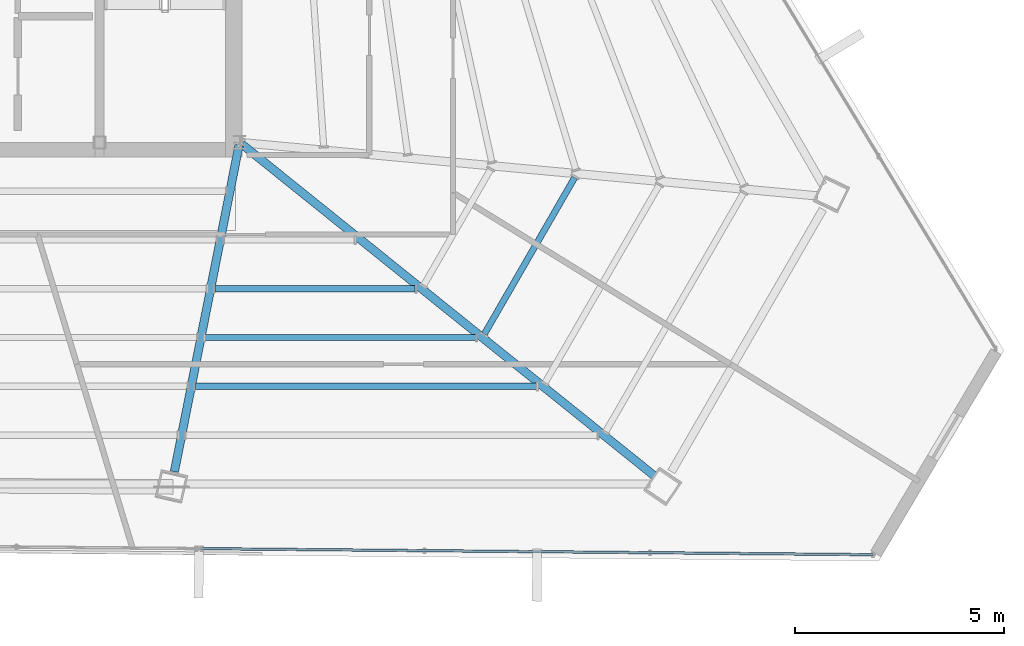
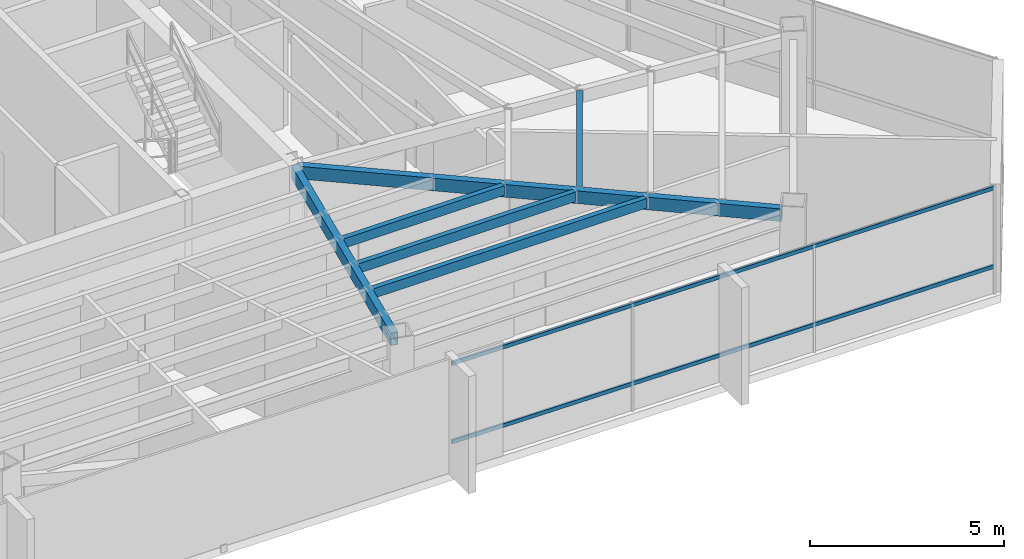
# One storey, part 22 of 47: 6 beams, 2 members, 1 element without a shape of its own.
"""IFC4 building model written with IfcOpenShell, lengths in metres."""

from ifc_helpers import new_model, si_unit, direction, frame, origin, origin_2d, place, context, subcontext, project, spatial, hollow_rectangle, extrude, source, transform, mapped, material, material_profile, profile_set, type_object, type_shapes, element, aggregate, save


model = new_model("IFC4")

# Units and contexts
model_context = context("Model", 3, precision=1e-05, world=origin(), true_north=direction((0.0, 1.0)))
body_context = subcontext(model_context, "Body", "Model", "MODEL_VIEW")
ifc_project = project(units=[si_unit("LENGTHUNIT", "METRE"), si_unit("AREAUNIT", "SQUARE_METRE"), si_unit("VOLUMEUNIT", "CUBIC_METRE"), si_unit("PLANEANGLEUNIT", "RADIAN"), si_unit("MASSUNIT", "GRAM", prefix="KILO")], contexts=[model_context])

# Site, building, storey
site_placement = place(None, origin())
site = spatial("IfcSite", under=ifc_project, at=site_placement, CompositionType="ELEMENT")
building_placement = place(site_placement, origin())
building = spatial("IfcBuilding", under=site, at=building_placement, Name="Caelisora Broadcast Tower", CompositionType="ELEMENT")
storey_placement = place(building_placement, frame((0.0, 0.0, 248.10009765625)))
storey = spatial("IfcBuildingStorey", under=building, at=storey_placement, Name="L65", CompositionType="ELEMENT", Elevation=248.10009765625)

# Beams
ifc_material_1 = material(Name="Steel Grade 350 (AS/NZS 1163 C350L0)", Category="steel")
ifc_material_profile_1 = material_profile(ifc_material_1, hollow_rectangle(XDim=0.199951171875, YDim=0.39990234375, WallThickness=0.012451171875, at=origin_2d()), Name="Steel Grade 350 (AS/NZS 1163 C350L0)")
ifc_profile_set_1 = profile_set([ifc_material_profile_1], Name="Steel Grade 350 (AS/NZS 1163 C350L0)")
beam_type_1 = type_object("IfcBeamType", Name="PG07", PredefinedType="BEAM", material=ifc_profile_set_1)
shared_shape_1 = source(origin(), body_context, "Body", "SweptSolid", [
    extrude(hollow_rectangle(XDim=0.199951171875, YDim=0.39990234375, WallThickness=0.012451171875, at=origin_2d()), origin(), (0.0, 0.0, 1.0), 12.666259765625),
])
beam_1_placement = place(storey_placement, frame((45.546875, 17.3623046875, 3.199951171875), z_axis=(0.779398001594, -0.62652913349, 0.0), x_axis=(0.62652913349, 0.779398001594, 0.0)))
element("IfcBeam", 1, at=beam_1_placement, inside=storey, type_object=beam_type_1, Name="L65 beam PG07", PredefinedType="BEAM", context=body_context, shape_type="MappedRepresentation", body=[
    mapped(shared_shape_1, transform((0.0, 0.0, 0.0), scale=1.0)),
])
shared_shape_2 = source(origin(), body_context, "Body", "SweptSolid", [
    extrude(hollow_rectangle(XDim=0.199951171875, YDim=0.39990234375, WallThickness=0.012451171875, at=origin_2d()), origin(), (0.0, 0.0, 1.0), 7.960693359375),
])
type_shapes(beam_type_1, [shared_shape_1, shared_shape_2])
beam_2_placement = place(storey_placement, frame((45.48828125, 17.341064453125, 3.199951171875), z_axis=(-0.194281611338, -0.980945796411, 0.0), x_axis=(0.980945796411, -0.194281611338, 0.0)))
element("IfcBeam", 2, at=beam_2_placement, inside=storey, type_object=beam_type_1, Name="L65 beam PG07", PredefinedType="BEAM", context=body_context, shape_type="MappedRepresentation", body=[
    mapped(shared_shape_2, transform((0.0, 0.0, 0.0), scale=1.0)),
])
ifc_material_profile_2 = material_profile(ifc_material_1, hollow_rectangle(XDim=0.14990234375, YDim=0.300048828125, WallThickness=0.010009765625, at=origin_2d()), Name="Steel Grade 350 (AS/NZS 1163 C350L0)")
ifc_profile_set_2 = profile_set([ifc_material_profile_2], Name="Steel Grade 350 (AS/NZS 1163 C350L0)")
beam_type_2 = type_object("IfcBeamType", Name="SB05", PredefinedType="JOIST", material=ifc_profile_set_2)
shared_shape_3 = source(origin(), body_context, "Body", "SweptSolid", [
    extrude(hollow_rectangle(XDim=0.14990234375, YDim=0.300048828125, WallThickness=0.010009765625, at=origin_2d()), origin(), (0.0, 0.0, 1.0), 4.317138671875),
])
beam_3_placement = place(storey_placement, frame((51.349853515625, 12.822021484375, 3.25), z_axis=(0.499977010451, 0.8660386764, 0.0), x_axis=(-0.8660386764, 0.499977010451, 0.0)))
element("IfcBeam", 3, at=beam_3_placement, inside=storey, type_object=beam_type_2, Name="L65 beam SB05", PredefinedType="JOIST", context=body_context, shape_type="MappedRepresentation", body=[
    mapped(shared_shape_3, transform((0.0, 0.0, 0.0), scale=1.0)),
])
shared_shape_4 = source(origin(), body_context, "Body", "SweptSolid", [
    extrude(hollow_rectangle(XDim=0.14990234375, YDim=0.300048828125, WallThickness=0.010009765625, at=origin_2d()), origin(), (0.0, 0.0, 1.0), 4.78759765625),
])
beam_4_placement = place(storey_placement, frame((44.90625, 13.90283203125, 3.25), z_axis=(1.0, 0.0, 0.0), x_axis=(0.0, 1.0, 0.0)))
element("IfcBeam", 4, at=beam_4_placement, inside=storey, type_object=beam_type_2, Name="L65 beam SB05", PredefinedType="JOIST", context=body_context, shape_type="MappedRepresentation", body=[
    mapped(shared_shape_4, transform((0.0, 0.0, 0.0), scale=1.0)),
])
shared_shape_5 = source(origin(), body_context, "Body", "SweptSolid", [
    extrude(hollow_rectangle(XDim=0.14990234375, YDim=0.300048828125, WallThickness=0.010009765625, at=origin_2d()), origin(), (0.0, 0.0, 1.0), 6.46875),
])
beam_5_placement = place(storey_placement, frame((44.67529296875, 12.737060546875, 3.25), z_axis=(1.0, 0.0, 0.0), x_axis=(0.0, 1.0, 0.0)))
element("IfcBeam", 5, at=beam_5_placement, inside=storey, type_object=beam_type_2, Name="L65 beam SB05", PredefinedType="JOIST", context=body_context, shape_type="MappedRepresentation", body=[
    mapped(shared_shape_5, transform((0.0, 0.0, 0.0), scale=1.0)),
])
shared_shape_6 = source(origin(), body_context, "Body", "SweptSolid", [
    extrude(hollow_rectangle(XDim=0.14990234375, YDim=0.300048828125, WallThickness=0.010009765625, at=origin_2d()), origin(), (0.0, 0.0, 1.0), 8.14990234375),
])
type_shapes(beam_type_2, [shared_shape_3, shared_shape_4, shared_shape_5, shared_shape_6])
beam_6_placement = place(storey_placement, frame((44.4443359375, 11.5712890625, 3.25), z_axis=(1.0, 0.0, 0.0), x_axis=(0.0, 1.0, 0.0)))
element("IfcBeam", 6, at=beam_6_placement, inside=storey, type_object=beam_type_2, Name="L65 beam SB05", PredefinedType="JOIST", context=body_context, shape_type="MappedRepresentation", body=[
    mapped(shared_shape_6, transform((0.0, 0.0, 0.0), scale=1.0)),
])

# Curtain wall, members
ifc_material_2 = material(Name="Unitised Aluminium and Low-E Glass Curtain Wall", Category="glass")
curtain_wall_type = type_object("IfcCurtainWallType", Name="CW-Z5", PredefinedType="NOTDEFINED", material=ifc_material_2)
curtain_wall_placement = place(storey_placement, origin())
curtain_wall = element("IfcCurtainWall", 7, at=curtain_wall_placement, inside=storey, type_object=curtain_wall_type, Name="L65 curtain wall CW-Z5", PredefinedType="NOTDEFINED")
ifc_material_3 = material(Name="Aluminium 6063-T6 Anodised Terracotta Bronze", Category="aluminium")
ifc_material_profile_3 = material_profile(ifc_material_3, hollow_rectangle(XDim=0.06005859375, YDim=0.1201171875, WallThickness=0.0029296875, at=origin_2d()), Name="Aluminium 6063-T6 Anodised Terracotta Bronze")
ifc_profile_set_3 = profile_set([ifc_material_profile_3], Name="Aluminium 6063-T6 Anodised Terracotta Bronze")
member_type = type_object("IfcMemberType", Name="CWT-03", PredefinedType="USERDEFINED", material=ifc_profile_set_3)
shared_shape_7 = source(origin(), body_context, "Body", "SweptSolid", [
    extrude(hollow_rectangle(XDim=0.06005859375, YDim=0.1201171875, WallThickness=0.0029296875, at=origin_2d()), origin(), (0.0, 0.0, 1.0), 16.056640625),
])
type_shapes(member_type, [shared_shape_7])
member_1_placement = place(storey_placement, frame((60.639892578125, 7.547607421875, 0.849853515625), z_axis=(-0.999959212539, 0.009031791565, 0.0), x_axis=(-0.009031791565, -0.999959212539, 0.0)))
member_1 = element("IfcMember", 8, at=member_1_placement, type_object=member_type, Name="L65-CW-B05 transom #1", ObjectType="TRANSOM", PredefinedType="USERDEFINED", context=body_context, shape_type="MappedRepresentation", body=[
    mapped(shared_shape_7, transform((0.0, 0.0, 0.0), scale=1.0)),
])
member_2_placement = place(storey_placement, frame((60.639892578125, 7.547607421875, 3.31982421875), z_axis=(-0.999959212539, 0.009031791565, 0.0), x_axis=(-0.009031791565, -0.999959212539, 0.0)))
member_2 = element("IfcMember", 9, at=member_2_placement, type_object=member_type, Name="L65-CW-B05 transom #2", ObjectType="TRANSOM", PredefinedType="USERDEFINED", context=body_context, shape_type="MappedRepresentation", body=[
    mapped(shared_shape_7, transform((0.0, 0.0, 0.0), scale=1.0)),
])
aggregate(curtain_wall, [member_1, member_2])

save(model, "model.ifc")
